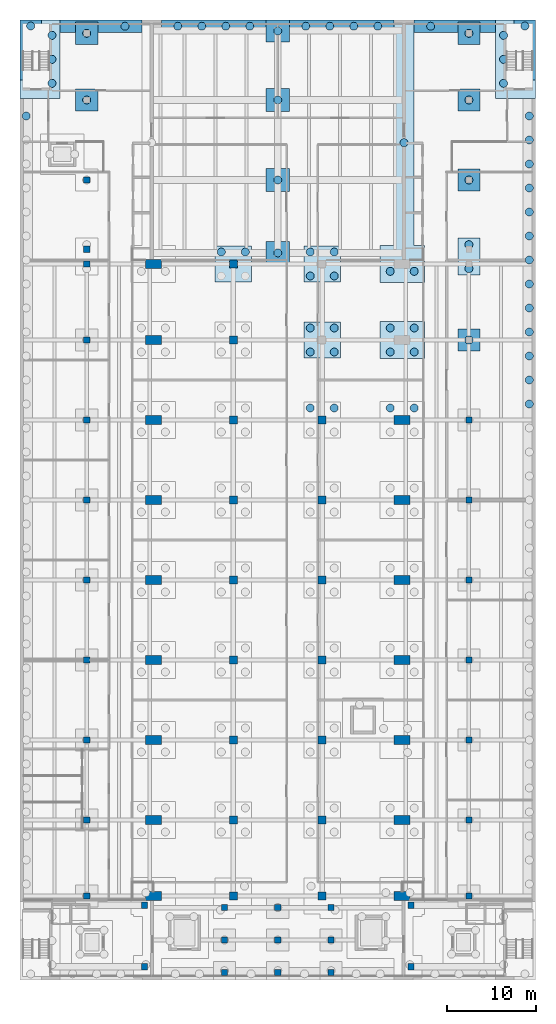
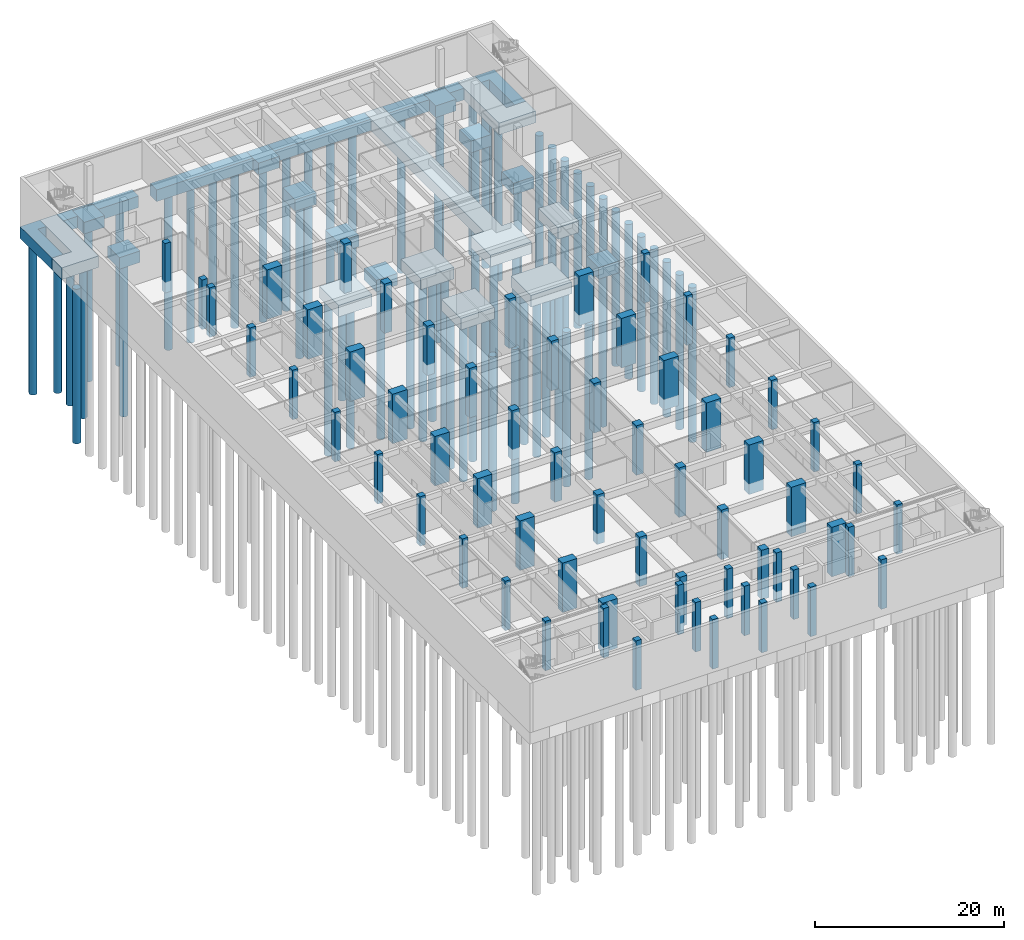
# One storey, part 3 of 19: 65 piles, 63 columns, 24 footings.
"""IFC4 building model written with IfcOpenShell, lengths in metres."""

from ifc_helpers import new_model, si_unit, direction, frame, origin, origin_2d, place, context, subcontext, project, spatial, polyline, rectangle, circle, outline, extrude, material, layer, layer_set, material_profile, profile_set, type_object, element, save


model = new_model("IFC4")

# Units and contexts
model_context = context("Model", 3, precision=1e-05, world=origin(), true_north=direction((0.0, 1.0)))
body_context = subcontext(model_context, "Body", "Model", "MODEL_VIEW")
ifc_project = project(units=[si_unit("LENGTHUNIT", "METRE"), si_unit("AREAUNIT", "SQUARE_METRE"), si_unit("VOLUMEUNIT", "CUBIC_METRE"), si_unit("PLANEANGLEUNIT", "RADIAN"), si_unit("MASSUNIT", "GRAM", prefix="KILO")], contexts=[model_context])

# Site, building, storey
site_placement = place(None, origin())
site = spatial("IfcSite", under=ifc_project, at=site_placement, CompositionType="ELEMENT")
building_placement = place(site_placement, origin())
building = spatial("IfcBuilding", under=site, at=building_placement, Name="Elmora Arch Market Hall", CompositionType="ELEMENT")
storey_placement = place(building_placement, frame((0.0, 0.0, -10.0)))
storey = spatial("IfcBuildingStorey", under=building, at=storey_placement, Name="B1", CompositionType="ELEMENT", Elevation=-10.0)

# Piles
ifc_material_1 = material(Name="Concrete C40/50", Category="concrete")
ifc_material_profile_1 = material_profile(ifc_material_1, circle(Radius=0.449951171875, at=origin_2d()), Name="Bored pile D900")
ifc_profile_set_1 = profile_set([ifc_material_profile_1], Name="Concrete C40/50")
pile_type = type_object("IfcPileType", Name="Bored pile D900", PredefinedType="BORED", material=ifc_profile_set_1)
for number, where, z_axis, x_axis, name in (
    (1, (41.64990234375, 82.35009765625, -2.89990234375), (0.0, 0.0, -1.0), (1.0, 0.0, 0.0), "Bored pile 049.02"),
    (2, (44.35009765625, 82.35009765625, -2.89990234375), (0.0, 0.0, -1.0), (1.0, 0.0, 0.0), "Bored pile 049.04"),
    (3, (32.64990234375, 82.35009765625, -2.89990234375), (0.0, 0.0, -1.0), (1.0, 0.0, 0.0), "Bored pile 051.02"),
    (4, (35.35009765625, 82.35009765625, -2.89990234375), (0.0, 0.0, -1.0), (1.0, 0.0, 0.0), "Bored pile 051.04"),
    (5, (41.64990234375, 88.64990234375, -2.89990234375), (0.0, 0.0, -1.0), (1.0, 0.0, 0.0), "Bored pile 055.01"),
    (6, (41.64990234375, 91.35009765625, -2.89990234375), (0.0, 0.0, -1.0), (1.0, 0.0, 0.0), "Bored pile 055.02"),
    (7, (44.35009765625, 88.64990234375, -2.89990234375), (0.0, 0.0, -1.0), (1.0, 0.0, 0.0), "Bored pile 055.03"),
    (8, (44.35009765625, 91.35009765625, -2.89990234375), (0.0, 0.0, -1.0), (1.0, 0.0, 0.0), "Bored pile 055.04"),
    (9, (32.64990234375, 88.64990234375, -2.89990234375), (0.0, 0.0, -1.0), (1.0, 0.0, 0.0), "Bored pile 057.01"),
    (10, (32.64990234375, 91.35009765625, -2.89990234375), (0.0, 0.0, -1.0), (1.0, 0.0, 0.0), "Bored pile 057.02"),
    (11, (35.35009765625, 88.64990234375, -2.89990234375), (0.0, 0.0, -1.0), (1.0, 0.0, 0.0), "Bored pile 057.03"),
    (12, (35.35009765625, 91.35009765625, -2.89990234375), (0.0, 0.0, -1.0), (1.0, 0.0, 0.0), "Bored pile 057.04"),
    (13, (50.5, 90.0, -2.89990234375), (0.0, 0.0, -1.0), (1.0, 0.0, 0.0), "Bored pile 059.01"),
    (14, (41.64990234375, 97.72509765625, -2.89990234375), (0.0, 0.0, -1.0), (1.0, 0.0, 0.0), "Bored pile 061.01"),
    (15, (44.35009765625, 97.72509765625, -2.89990234375), (0.0, 0.0, -1.0), (1.0, 0.0, 0.0), "Bored pile 061.02"),
    (16, (43.199951171875, 112.199951171875, -2.89990234375), (0.0, 0.0, -1.0), (1.0, 0.0, 0.0), "Bored pile 061.03"),
    (17, (22.64990234375, 99.89990234375, -2.89990234375), (0.0, 0.0, -1.0), (1.0, 0.0, 0.0), "Bored pile 062.02"),
    (18, (25.35009765625, 99.89990234375, -2.89990234375), (0.0, 0.0, -1.0), (1.0, 0.0, 0.0), "Bored pile 062.04"),
    (19, (32.64990234375, 97.199951171875, -2.89990234375), (0.0, 0.0, -1.0), (1.0, 0.0, 0.0), "Bored pile 063.01"),
    (20, (32.64990234375, 99.89990234375, -2.89990234375), (0.0, 0.0, -1.0), (1.0, 0.0, 0.0), "Bored pile 063.02"),
    (21, (35.35009765625, 97.199951171875, -2.89990234375), (0.0, 0.0, -1.0), (1.0, 0.0, 0.0), "Bored pile 063.03"),
    (22, (35.35009765625, 99.89990234375, -2.89990234375), (0.0, 0.0, -1.0), (1.0, 0.0, 0.0), "Bored pile 063.04"),
    (23, (50.5, 98.02490234375, -2.89990234375), (0.0, 0.0, -1.0), (1.0, 0.0, 0.0), "Bored pile 065.01"),
    (24, (50.5, 100.72509765625, -2.89990234375), (0.0, 0.0, -1.0), (1.0, 0.0, 0.0), "Bored pile 065.02"),
    (25, (29.0, 99.800048828125, -2.89990234375), (0.0, 0.0, -1.0), (1.0, 0.0, 0.0), "Bored pile 066.01"),
    (26, (29.0, 108.0, -2.89990234375), (0.0, 0.0, -1.0), (1.0, 0.0, 0.0), "Bored pile 067.01"),
    (27, (50.5, 108.0, -2.89990234375), (0.0, 0.0, -1.0), (1.0, 0.0, 0.0), "Bored pile 069.01"),
    (28, (29.0, 117.0, -2.89990234375), (0.0, 0.0, -1.0), (1.0, 0.0, 0.0), "Bored pile 070.01"),
    (29, (7.5, 117.0, -2.89990234375), (0.0, 0.0, -1.0), (1.0, 0.0, 0.0), "Bored pile 071.01"),
    (30, (50.5, 117.0, -2.89990234375), (0.0, 0.0, -1.0), (1.0, 0.0, 0.0), "Bored pile 072.01"),
    (31, (3.60009765625, 118.875, -2.89990234375), (0.0, 0.0, -1.0), (1.0, 0.0, 0.0), "Bored pile 073.01"),
    (32, (3.60009765625, 121.574951171875, -2.89990234375), (0.0, 0.0, -1.0), (1.0, 0.0, 0.0), "Bored pile 073.02"),
    (33, (3.60009765625, 124.27490234375, -2.89990234375), (0.0, 0.0, -1.0), (1.0, 0.0, 0.0), "Bored pile 073.03"),
    (34, (54.39990234375, 118.875, -2.89990234375), (0.0, 0.0, -1.0), (1.0, 0.0, 0.0), "Bored pile 074.01"),
    (35, (54.39990234375, 121.574951171875, -2.89990234375), (0.0, 0.0, -1.0), (1.0, 0.0, 0.0), "Bored pile 074.02"),
    (36, (54.39990234375, 124.27490234375, -2.89990234375), (0.0, 0.0, -1.0), (1.0, 0.0, 0.0), "Bored pile 074.03"),
    (37, (7.5, 124.5, -2.89990234375), (0.0, 0.0, -1.0), (1.0, 0.0, 0.0), "Bored pile 075.01"),
    (38, (50.5, 124.5, -2.89990234375), (0.0, 0.0, -1.0), (1.0, 0.0, 0.0), "Bored pile 076.01"),
    (39, (29.0, 124.75, -2.89990234375), (0.0, 0.0, -1.0), (1.0, 0.0, 0.0), "Bored pile 077.01"),
    (40, (0.699951171875, 115.199951171875, -2.89990234375), (0.0, 0.0, -1.0), (1.0, 0.0, 0.0), "Bored pile 086.33"),
    (41, (57.300048828125, 82.800048828125, -2.89990234375), (0.0, 0.0, -1.0), (1.0, 0.0, 0.0), "Bored pile 087.21"),
    (42, (57.300048828125, 85.5, -2.89990234375), (0.0, 0.0, -1.0), (1.0, 0.0, 0.0), "Bored pile 087.22"),
    (43, (57.300048828125, 88.199951171875, -2.89990234375), (0.0, 0.0, -1.0), (1.0, 0.0, 0.0), "Bored pile 087.23"),
    (44, (57.300048828125, 90.89990234375, -2.89990234375), (0.0, 0.0, -1.0), (1.0, 0.0, 0.0), "Bored pile 087.24"),
    (45, (57.300048828125, 93.60009765625, -2.89990234375), (0.0, 0.0, -1.0), (1.0, 0.0, 0.0), "Bored pile 087.25"),
    (46, (57.300048828125, 96.300048828125, -2.89990234375), (0.0, 0.0, -1.0), (1.0, 0.0, 0.0), "Bored pile 087.26"),
    (47, (57.300048828125, 99.0, -2.89990234375), (0.0, 0.0, -1.0), (1.0, 0.0, 0.0), "Bored pile 087.27"),
    (48, (57.300048828125, 101.699951171875, -2.89990234375), (0.0, 0.0, -1.0), (1.0, 0.0, 0.0), "Bored pile 087.28"),
    (49, (57.300048828125, 104.39990234375, -2.89990234375), (0.0, 0.0, -1.0), (1.0, 0.0, 0.0), "Bored pile 087.29"),
    (50, (57.300048828125, 107.10009765625, -2.89990234375), (0.0, 0.0, -1.0), (1.0, 0.0, 0.0), "Bored pile 087.30"),
    (51, (57.300048828125, 109.800048828125, -2.89990234375), (0.0, 0.0, -1.0), (1.0, 0.0, 0.0), "Bored pile 087.31"),
    (52, (57.300048828125, 112.5, -2.89990234375), (0.0, 0.0, -1.0), (1.0, 0.0, 0.0), "Bored pile 087.32"),
    (53, (57.300048828125, 115.199951171875, -2.89990234375), (0.0, 0.0, -1.0), (1.0, 0.0, 0.0), "Bored pile 087.33"),
    (54, (1.199951171875, 125.324951171875, -2.89990234375), (0.0, 0.0, -1.0), (1.0, 0.0, 0.0), "Bored pile 088.01"),
    (55, (56.800048828125, 125.324951171875, -2.89990234375), (0.0, 0.0, -1.0), (1.0, 0.0, 0.0), "Bored pile 089.01"),
    (56, (11.800048828125, 125.300048828125, -2.89990234375), (0.0, 0.0, -1.0), (1.0, 0.0, 0.0), "Bored pile 090.01"),
    (57, (17.75, 125.300048828125, -2.89990234375), (0.0, 0.0, -1.0), (1.0, 0.0, 0.0), "Bored pile 091.01"),
    (58, (20.449951171875, 125.300048828125, -2.89990234375), (0.0, 0.0, -1.0), (1.0, 0.0, 0.0), "Bored pile 091.02"),
    (59, (23.14990234375, 125.300048828125, -2.89990234375), (0.0, 0.0, -1.0), (1.0, 0.0, 0.0), "Bored pile 091.03"),
    (60, (25.85009765625, 125.300048828125, -2.89990234375), (0.0, 0.0, -1.0), (1.0, 0.0, 0.0), "Bored pile 091.04"),
    (61, (32.14990234375, 125.300048828125, -2.89990234375), (0.0, 0.0, -1.0), (1.0, 0.0, 0.0), "Bored pile 092.01"),
    (62, (34.85009765625, 125.300048828125, -2.89990234375), (0.0, 0.0, -1.0), (1.0, 0.0, 0.0), "Bored pile 092.02"),
    (63, (37.550048828125, 125.300048828125, -2.89990234375), (0.0, 0.0, -1.0), (1.0, 0.0, 0.0), "Bored pile 092.03"),
    (64, (40.25, 125.300048828125, -2.89990234375), (0.0, 0.0, -1.0), (1.0, 0.0, 0.0), "Bored pile 092.04"),
    (65, (46.199951171875, 125.300048828125, -2.89990234375), (0.0, 0.0, -1.0), (1.0, 0.0, 0.0), "Bored pile 093.01"),
):
    element("IfcPile", number, at=place(storey_placement, frame(where, z_axis=z_axis, x_axis=x_axis)), inside=storey, type_object=pile_type, Name=name, PredefinedType="BORED", context=body_context, shape_type="SweptSolid", body=[
        extrude(circle(Radius=0.449951171875, at=origin_2d()), origin(), (0.0, 0.0, 1.0), 20.0),
    ])

# Footings
ifc_material_2 = material(Name="Concrete C40/50", Category="concrete")
ifc_layer_1 = layer(ifc_material_2, 1.5)
ifc_layer_set_1 = layer_set([ifc_layer_1], Name="Concrete C40/50")
footing_type_1 = type_object("IfcFootingType", Name="Pile cap 1500, 3 to 4 piles", PredefinedType="PILE_CAP", material=ifc_layer_set_1)
footing_1_placement = place(storey_placement, frame((0.0, 0.0, -2.89990234375)))
element("IfcFooting", 66, at=footing_1_placement, inside=storey, type_object=footing_type_1, Name="Pile cap 055", PredefinedType="PILE_CAP", context=body_context, shape_type="SweptSolid", body=[
    extrude(outline(polyline([(45.5, 87.89990234375), (40.5, 87.89990234375), (40.5, 92.10009765625), (45.5, 92.10009765625), (45.5, 87.89990234375)])), origin(), (0.0, 0.0, 1.0), 1.5),
])
footing_2_placement = place(storey_placement, frame((0.0, 0.0, -2.89990234375)))
element("IfcFooting", 67, at=footing_2_placement, inside=storey, type_object=footing_type_1, Name="Pile cap 057", PredefinedType="PILE_CAP", context=body_context, shape_type="SweptSolid", body=[
    extrude(outline(polyline([(36.050048828125, 87.949951171875), (31.949951171875, 87.949951171875), (31.949951171875, 92.050048828125), (36.050048828125, 92.050048828125), (36.050048828125, 87.949951171875)])), origin(), (0.0, 0.0, 1.0), 1.5),
])
footing_3_placement = place(storey_placement, frame((0.0, 0.0, -2.89990234375)))
element("IfcFooting", 68, at=footing_3_placement, inside=storey, type_object=footing_type_1, Name="Pile cap 061", PredefinedType="PILE_CAP", context=body_context, shape_type="SweptSolid", body=[
    extrude(outline(polyline([(45.5, 96.449951171875), (40.5, 96.449951171875), (40.5, 100.64990234375), (42.10009765625, 100.64990234375), (42.10009765625, 126.0), (44.300048828125, 126.0), (44.300048828125, 100.64990234375), (45.5, 100.64990234375), (45.5, 96.449951171875)])), origin(), (0.0, 0.0, 1.0), 1.5),
])
footing_4_placement = place(storey_placement, frame((0.0, 0.0, -2.89990234375)))
element("IfcFooting", 69, at=footing_4_placement, inside=storey, type_object=footing_type_1, Name="Pile cap 062", PredefinedType="PILE_CAP", context=body_context, shape_type="SweptSolid", body=[
    extrude(outline(polyline([(26.050048828125, 96.5), (21.949951171875, 96.5), (21.949951171875, 100.60009765625), (26.050048828125, 100.60009765625), (26.050048828125, 96.5)])), origin(), (0.0, 0.0, 1.0), 1.5),
])
footing_5_placement = place(storey_placement, frame((0.0, 0.0, -2.89990234375)))
element("IfcFooting", 70, at=footing_5_placement, inside=storey, type_object=footing_type_1, Name="Pile cap 063", PredefinedType="PILE_CAP", context=body_context, shape_type="SweptSolid", body=[
    extrude(outline(polyline([(36.050048828125, 100.60009765625), (36.050048828125, 96.5), (31.949951171875, 96.5), (31.949951171875, 100.60009765625), (36.050048828125, 100.60009765625)])), origin(), (0.0, 0.0, 1.0), 1.5),
])
footing_6_placement = place(storey_placement, frame((0.0, 0.0, -2.89990234375)))
element("IfcFooting", 71, at=footing_6_placement, inside=storey, type_object=footing_type_1, Name="Pile cap 073", PredefinedType="PILE_CAP", context=body_context, shape_type="SweptSolid", body=[
    extrude(outline(polyline([(4.199951171875, 117.14990234375), (2.39990234375, 117.14990234375), (0.0, 117.14990234375), (0.0, 119.25), (2.39990234375, 119.25), (2.39990234375, 126.0), (4.5, 126.0), (4.5, 117.14990234375), (4.199951171875, 117.14990234375)])), origin(), (0.0, 0.0, 1.0), 1.5),
])
footing_7_placement = place(storey_placement, frame((0.0, 0.0, -2.89990234375)))
element("IfcFooting", 72, at=footing_7_placement, inside=storey, type_object=footing_type_1, Name="Pile cap 074", PredefinedType="PILE_CAP", context=body_context, shape_type="SweptSolid", body=[
    extrude(outline(polyline([(55.60009765625, 119.25), (58.0, 119.25), (58.0, 117.14990234375), (55.60009765625, 117.14990234375), (53.800048828125, 117.14990234375), (53.5, 117.14990234375), (53.5, 126.0), (55.60009765625, 126.0), (55.60009765625, 119.25)])), origin(), (0.0, 0.0, 1.0), 1.5),
])
footing_8_placement = place(storey_placement, frame((0.0, 0.0, -2.89990234375)))
element("IfcFooting", 73, at=footing_8_placement, inside=storey, type_object=footing_type_1, Name="Pile cap 091", PredefinedType="PILE_CAP", context=body_context, shape_type="SweptSolid", body=[
    extrude(outline(polyline([(27.699951171875, 126.0), (27.699951171875, 124.60009765625), (15.89990234375, 124.60009765625), (15.89990234375, 126.0), (27.699951171875, 126.0)])), origin(), (0.0, 0.0, 1.0), 1.5),
])
footing_9_placement = place(storey_placement, frame((0.0, 0.0, -2.89990234375)))
element("IfcFooting", 74, at=footing_9_placement, inside=storey, type_object=footing_type_1, Name="Pile cap 092", PredefinedType="PILE_CAP", context=body_context, shape_type="SweptSolid", body=[
    extrude(outline(polyline([(42.10009765625, 126.0), (42.10009765625, 124.60009765625), (30.300048828125, 124.60009765625), (30.300048828125, 126.0), (42.10009765625, 126.0)])), origin(), (0.0, 0.0, 1.0), 1.5),
])
ifc_material_3 = material(Name="Concrete C40/50", Category="concrete")
ifc_layer_2 = layer(ifc_material_3, 1.5)
ifc_layer_set_2 = layer_set([ifc_layer_2], Name="Concrete C40/50")
footing_type_2 = type_object("IfcFootingType", Name="Pile cap 1500, up to 2 piles", PredefinedType="PILE_CAP", material=ifc_layer_set_2)
footing_10_placement = place(storey_placement, frame((0.0, 0.0, -2.89990234375)))
element("IfcFooting", 75, at=footing_10_placement, inside=storey, type_object=footing_type_2, Name="Pile cap 059", PredefinedType="PILE_CAP", context=body_context, shape_type="SweptSolid", body=[
    extrude(outline(polyline([(51.75, 88.75), (49.25, 88.75), (49.25, 91.25), (51.75, 91.25), (51.75, 88.75)])), origin(), (0.0, 0.0, 1.0), 1.5),
])
footing_11_placement = place(storey_placement, frame((0.0, 0.0, -2.89990234375)))
element("IfcFooting", 76, at=footing_11_placement, inside=storey, type_object=footing_type_2, Name="Pile cap 065", PredefinedType="PILE_CAP", context=body_context, shape_type="SweptSolid", body=[
    extrude(outline(polyline([(49.25, 99.800048828125), (49.25, 101.449951171875), (51.75, 101.449951171875), (51.75, 99.800048828125), (51.75, 98.949951171875), (51.75, 97.300048828125), (49.25, 97.300048828125), (49.25, 98.949951171875), (49.25, 99.800048828125)])), origin(), (0.0, 0.0, 1.0), 1.5),
])
footing_12_placement = place(storey_placement, frame((0.0, 0.0, -2.89990234375)))
element("IfcFooting", 77, at=footing_12_placement, inside=storey, type_object=footing_type_2, Name="Pile cap 066", PredefinedType="PILE_CAP", context=body_context, shape_type="SweptSolid", body=[
    extrude(outline(polyline([(30.300048828125, 98.5), (27.699951171875, 98.5), (27.699951171875, 101.10009765625), (30.300048828125, 101.10009765625), (30.300048828125, 98.5)])), origin(), (0.0, 0.0, 1.0), 1.5),
])
footing_13_placement = place(storey_placement, frame((0.0, 0.0, -2.89990234375)))
element("IfcFooting", 78, at=footing_13_placement, inside=storey, type_object=footing_type_2, Name="Pile cap 067", PredefinedType="PILE_CAP", context=body_context, shape_type="SweptSolid", body=[
    extrude(outline(polyline([(30.300048828125, 106.699951171875), (27.699951171875, 106.699951171875), (27.699951171875, 109.300048828125), (30.300048828125, 109.300048828125), (30.300048828125, 106.699951171875)])), origin(), (0.0, 0.0, 1.0), 1.5),
])
footing_14_placement = place(storey_placement, frame((0.0, 0.0, -2.89990234375)))
element("IfcFooting", 79, at=footing_14_placement, inside=storey, type_object=footing_type_2, Name="Pile cap 069", PredefinedType="PILE_CAP", context=body_context, shape_type="SweptSolid", body=[
    extrude(outline(polyline([(51.75, 106.75), (49.25, 106.75), (49.25, 109.25), (51.75, 109.25), (51.75, 106.75)])), origin(), (0.0, 0.0, 1.0), 1.5),
])
footing_15_placement = place(storey_placement, frame((0.0, 0.0, -2.89990234375)))
element("IfcFooting", 80, at=footing_15_placement, inside=storey, type_object=footing_type_2, Name="Pile cap 070", PredefinedType="PILE_CAP", context=body_context, shape_type="SweptSolid", body=[
    extrude(outline(polyline([(30.300048828125, 115.699951171875), (27.699951171875, 115.699951171875), (27.699951171875, 118.300048828125), (30.300048828125, 118.300048828125), (30.300048828125, 115.699951171875)])), origin(), (0.0, 0.0, 1.0), 1.5),
])
footing_16_placement = place(storey_placement, frame((0.0, 0.0, -2.89990234375)))
element("IfcFooting", 81, at=footing_16_placement, inside=storey, type_object=footing_type_2, Name="Pile cap 071", PredefinedType="PILE_CAP", context=body_context, shape_type="SweptSolid", body=[
    extrude(outline(polyline([(8.75, 115.75), (6.25, 115.75), (6.25, 118.25), (8.75, 118.25), (8.75, 115.75)])), origin(), (0.0, 0.0, 1.0), 1.5),
])
footing_17_placement = place(storey_placement, frame((0.0, 0.0, -2.89990234375)))
element("IfcFooting", 82, at=footing_17_placement, inside=storey, type_object=footing_type_2, Name="Pile cap 072", PredefinedType="PILE_CAP", context=body_context, shape_type="SweptSolid", body=[
    extrude(outline(polyline([(51.75, 115.75), (49.25, 115.75), (49.25, 118.25), (51.75, 118.25), (51.75, 115.75)])), origin(), (0.0, 0.0, 1.0), 1.5),
])
footing_18_placement = place(storey_placement, frame((0.0, 0.0, -2.89990234375)))
element("IfcFooting", 83, at=footing_18_placement, inside=storey, type_object=footing_type_2, Name="Pile cap 075", PredefinedType="PILE_CAP", context=body_context, shape_type="SweptSolid", body=[
    extrude(outline(polyline([(8.75, 125.75), (8.75, 123.25), (6.25, 123.25), (6.25, 125.75), (8.75, 125.75)])), origin(), (0.0, 0.0, 1.0), 1.5),
])
footing_19_placement = place(storey_placement, frame((0.0, 0.0, -2.89990234375)))
element("IfcFooting", 84, at=footing_19_placement, inside=storey, type_object=footing_type_2, Name="Pile cap 076", PredefinedType="PILE_CAP", context=body_context, shape_type="SweptSolid", body=[
    extrude(outline(polyline([(51.75, 123.25), (49.25, 123.25), (49.25, 125.75), (51.75, 125.75), (51.75, 123.25)])), origin(), (0.0, 0.0, 1.0), 1.5),
])
footing_20_placement = place(storey_placement, frame((0.0, 0.0, -2.89990234375)))
element("IfcFooting", 85, at=footing_20_placement, inside=storey, type_object=footing_type_2, Name="Pile cap 077", PredefinedType="PILE_CAP", context=body_context, shape_type="SweptSolid", body=[
    extrude(outline(polyline([(30.300048828125, 123.5), (27.699951171875, 123.5), (27.699951171875, 126.0), (30.300048828125, 126.0), (30.300048828125, 123.5)])), origin(), (0.0, 0.0, 1.0), 1.5),
])
footing_21_placement = place(storey_placement, frame((0.0, 0.0, -2.89990234375)))
element("IfcFooting", 86, at=footing_21_placement, inside=storey, type_object=footing_type_2, Name="Pile cap 088", PredefinedType="PILE_CAP", context=body_context, shape_type="SweptSolid", body=[
    extrude(outline(polyline([(0.0, 124.60009765625), (0.0, 126.0), (1.39990234375, 126.0), (2.39990234375, 126.0), (2.39990234375, 124.60009765625), (1.39990234375, 124.60009765625), (1.39990234375, 119.25), (0.0, 119.25), (0.0, 124.60009765625)])), origin(), (0.0, 0.0, 1.0), 1.5),
])
footing_22_placement = place(storey_placement, frame((0.0, 0.0, -2.89990234375)))
element("IfcFooting", 87, at=footing_22_placement, inside=storey, type_object=footing_type_2, Name="Pile cap 089", PredefinedType="PILE_CAP", context=body_context, shape_type="SweptSolid", body=[
    extrude(outline(polyline([(56.60009765625, 126.0), (58.0, 126.0), (58.0, 124.60009765625), (58.0, 119.25), (56.60009765625, 119.25), (56.60009765625, 124.60009765625), (55.60009765625, 124.60009765625), (55.60009765625, 126.0), (56.60009765625, 126.0)])), origin(), (0.0, 0.0, 1.0), 1.5),
])
footing_23_placement = place(storey_placement, frame((0.0, 0.0, -2.89990234375)))
element("IfcFooting", 88, at=footing_23_placement, inside=storey, type_object=footing_type_2, Name="Pile cap 090", PredefinedType="PILE_CAP", context=body_context, shape_type="SweptSolid", body=[
    extrude(outline(polyline([(13.699951171875, 126.0), (13.699951171875, 124.60009765625), (8.75, 124.60009765625), (8.75, 125.75), (6.25, 125.75), (6.25, 124.60009765625), (4.5, 124.60009765625), (4.5, 126.0), (13.699951171875, 126.0)])), origin(), (0.0, 0.0, 1.0), 1.5),
])
footing_24_placement = place(storey_placement, frame((0.0, 0.0, -2.89990234375)))
element("IfcFooting", 89, at=footing_24_placement, inside=storey, type_object=footing_type_2, Name="Pile cap 093", PredefinedType="PILE_CAP", context=body_context, shape_type="SweptSolid", body=[
    extrude(outline(polyline([(53.5, 126.0), (53.5, 124.60009765625), (51.75, 124.60009765625), (51.75, 125.75), (49.25, 125.75), (49.25, 124.60009765625), (44.300048828125, 124.60009765625), (44.300048828125, 126.0), (53.5, 126.0)])), origin(), (0.0, 0.0, 1.0), 1.5),
])

# Columns
ifc_material_4 = material(Name="Concrete C40/50", Category="concrete")
ifc_material_profile_2 = material_profile(ifc_material_4, rectangle(XDim=0.699951171875, YDim=0.699951171875, at=origin_2d()), Name="Corner block column 700x700")
ifc_profile_set_2 = profile_set([ifc_material_profile_2], Name="Concrete C40/50")
column_type_1 = type_object("IfcColumnType", Name="Corner block column 700x700", PredefinedType="COLUMN", material=ifc_profile_set_2)
for number, where, z_axis, x_axis, name in (
    (90, (14.0, 19.5, -1.39990234375), (0.0, 0.0, 1.0), (1.0, 0.0, 0.0), "Corner block column SW2 B1"),
    (91, (14.0, 26.39990234375, -1.39990234375), (0.0, 0.0, 1.0), (1.0, 0.0, 0.0), "Corner block column SW4 B1"),
    (92, (44.0, 19.5, -1.39990234375), (0.0, 0.0, 1.0), (1.0, 0.0, 0.0), "Corner block column SE2 B1"),
    (93, (44.0, 26.39990234375, -1.39990234375), (0.0, 0.0, 1.0), (1.0, 0.0, 0.0), "Corner block column SE4 B1"),
):
    element("IfcColumn", number, at=place(storey_placement, frame(where, z_axis=z_axis, x_axis=x_axis)), inside=storey, type_object=column_type_1, Name=name, PredefinedType="COLUMN", context=body_context, shape_type="SweptSolid", body=[
        extrude(rectangle(XDim=0.699951171875, YDim=0.699951171875, at=origin_2d()), origin(), (0.0, 0.0, 1.0), 6.39990234375),
    ])
ifc_material_5 = material(Name="Concrete C40/50", Category="concrete")
ifc_material_profile_3 = material_profile(ifc_material_5, rectangle(XDim=0.699951171875, YDim=0.699951171875, at=origin_2d()), Name="Dock column 700x700")
ifc_profile_set_3 = profile_set([ifc_material_profile_3], Name="Concrete C40/50")
column_type_2 = type_object("IfcColumnType", Name="Dock column 700x700", PredefinedType="COLUMN", material=ifc_profile_set_3)
for number, where, z_axis, x_axis, name in (
    (94, (23.0, 22.5, -1.39990234375), (0.0, 0.0, 1.0), (1.0, 0.0, 0.0), "Dock column DK1 B1"),
    (95, (29.0, 22.5, -1.39990234375), (0.0, 0.0, 1.0), (1.0, 0.0, 0.0), "Dock column DK2 B1"),
    (96, (35.0, 22.5, -1.39990234375), (0.0, 0.0, 1.0), (1.0, 0.0, 0.0), "Dock column DK3 B1"),
    (97, (23.0, 26.14990234375, -1.39990234375), (0.0, 0.0, 1.0), (1.0, 0.0, 0.0), "Dock column DK4 B1"),
    (98, (29.0, 26.14990234375, -1.39990234375), (0.0, 0.0, 1.0), (1.0, 0.0, 0.0), "Dock column DK5 B1"),
    (99, (35.0, 26.14990234375, -1.39990234375), (0.0, 0.0, 1.0), (1.0, 0.0, 0.0), "Dock column DK6 B1"),
    (100, (23.0, 18.85009765625, -1.39990234375), (0.0, 0.0, 1.0), (1.0, 0.0, 0.0), "Dock column DK7 B1"),
    (101, (29.0, 18.85009765625, -1.39990234375), (0.0, 0.0, 1.0), (1.0, 0.0, 0.0), "Dock column DK8 B1"),
    (102, (35.0, 18.85009765625, -1.39990234375), (0.0, 0.0, 1.0), (1.0, 0.0, 0.0), "Dock column DK9 B1"),
):
    element("IfcColumn", number, at=place(storey_placement, frame(where, z_axis=z_axis, x_axis=x_axis)), inside=storey, type_object=column_type_2, Name=name, PredefinedType="COLUMN", context=body_context, shape_type="SweptSolid", body=[
        extrude(rectangle(XDim=0.699951171875, YDim=0.699951171875, at=origin_2d()), origin(), (0.0, 0.0, 1.0), 6.39990234375),
    ])
ifc_material_6 = material(Name="Concrete C40/50", Category="concrete")
ifc_material_profile_4 = material_profile(ifc_material_6, rectangle(XDim=0.89990234375, YDim=0.89990234375, at=origin_2d()), Name="Hall frame column 900x900")
ifc_profile_set_4 = profile_set([ifc_material_profile_4], Name="Concrete C40/50")
column_type_3 = type_object("IfcColumnType", Name="Hall frame column 900x900", PredefinedType="COLUMN", material=ifc_profile_set_4)
for number, where, z_axis, x_axis, name in (
    (103, (24.0, 27.449951171875, -1.39990234375), (0.0, 0.0, 1.0), (1.0, 0.0, 0.0), "Hall frame column HF11 B1"),
    (104, (24.0, 36.0, -1.39990234375), (0.0, 0.0, 1.0), (1.0, 0.0, 0.0), "Hall frame column HF12 B1"),
    (105, (24.0, 45.0, -1.39990234375), (0.0, 0.0, 1.0), (1.0, 0.0, 0.0), "Hall frame column HF13 B1"),
    (106, (24.0, 54.0, -1.39990234375), (0.0, 0.0, 1.0), (1.0, 0.0, 0.0), "Hall frame column HF14 B1"),
    (107, (24.0, 63.0, -1.39990234375), (0.0, 0.0, 1.0), (1.0, 0.0, 0.0), "Hall frame column HF15 B1"),
    (108, (24.0, 72.0, -1.39990234375), (0.0, 0.0, 1.0), (1.0, 0.0, 0.0), "Hall frame column HF16 B1"),
    (109, (24.0, 81.0, -1.39990234375), (0.0, 0.0, 1.0), (1.0, 0.0, 0.0), "Hall frame column HF17 B1"),
    (110, (24.0, 90.0, -1.39990234375), (0.0, 0.0, 1.0), (1.0, 0.0, 0.0), "Hall frame column HF18 B1"),
    (111, (24.0, 98.550048828125, -1.39990234375), (0.0, 0.0, 1.0), (1.0, 0.0, 0.0), "Hall frame column HF19 B1"),
    (112, (34.0, 27.449951171875, -1.39990234375), (0.0, 0.0, 1.0), (1.0, 0.0, 0.0), "Hall frame column HF21 B1"),
    (113, (34.0, 36.0, -1.39990234375), (0.0, 0.0, 1.0), (1.0, 0.0, 0.0), "Hall frame column HF22 B1"),
    (114, (34.0, 45.0, -1.39990234375), (0.0, 0.0, 1.0), (1.0, 0.0, 0.0), "Hall frame column HF23 B1"),
    (115, (34.0, 54.0, -1.39990234375), (0.0, 0.0, 1.0), (1.0, 0.0, 0.0), "Hall frame column HF24 B1"),
    (116, (34.0, 63.0, -1.39990234375), (0.0, 0.0, 1.0), (1.0, 0.0, 0.0), "Hall frame column HF25 B1"),
    (117, (34.0, 72.0, -1.39990234375), (0.0, 0.0, 1.0), (1.0, 0.0, 0.0), "Hall frame column HF26 B1"),
    (118, (34.0, 81.0, -1.39990234375), (0.0, 0.0, 1.0), (1.0, 0.0, 0.0), "Hall frame column HF27 B1"),
):
    element("IfcColumn", number, at=place(storey_placement, frame(where, z_axis=z_axis, x_axis=x_axis)), inside=storey, type_object=column_type_3, Name=name, PredefinedType="COLUMN", context=body_context, shape_type="SweptSolid", body=[
        extrude(rectangle(XDim=0.89990234375, YDim=0.89990234375, at=origin_2d()), origin(), (0.0, 0.0, 1.0), 6.39990234375),
    ])
ifc_material_7 = material(Name="Concrete C40/50", Category="concrete")
ifc_material_profile_5 = material_profile(ifc_material_7, rectangle(XDim=1.800048828125, YDim=1.0, at=origin_2d()), Name="Hall pier")
ifc_profile_set_5 = profile_set([ifc_material_profile_5], Name="Concrete C40/50")
column_type_4 = type_object("IfcColumnType", Name="Hall pier", PredefinedType="COLUMN", material=ifc_profile_set_5)
for number, where, z_axis, x_axis, name in (
    (119, (15.0, 27.449951171875, -1.39990234375), (0.0, 0.0, 1.0), (1.0, 0.0, 0.0), "Hall pier 01W B1"),
    (120, (43.0, 27.449951171875, -1.39990234375), (0.0, 0.0, 1.0), (1.0, 0.0, 0.0), "Hall pier 01E B1"),
    (121, (15.0, 36.0, -1.39990234375), (0.0, 0.0, 1.0), (1.0, 0.0, 0.0), "Hall pier 02W B1"),
    (122, (43.0, 36.0, -1.39990234375), (0.0, 0.0, 1.0), (1.0, 0.0, 0.0), "Hall pier 02E B1"),
    (123, (15.0, 45.0, -1.39990234375), (0.0, 0.0, 1.0), (1.0, 0.0, 0.0), "Hall pier 03W B1"),
    (124, (43.0, 45.0, -1.39990234375), (0.0, 0.0, 1.0), (1.0, 0.0, 0.0), "Hall pier 03E B1"),
    (125, (15.0, 54.0, -1.39990234375), (0.0, 0.0, 1.0), (1.0, 0.0, 0.0), "Hall pier 04W B1"),
    (126, (43.0, 54.0, -1.39990234375), (0.0, 0.0, 1.0), (1.0, 0.0, 0.0), "Hall pier 04E B1"),
    (127, (15.0, 63.0, -1.39990234375), (0.0, 0.0, 1.0), (1.0, 0.0, 0.0), "Hall pier 05W B1"),
    (128, (43.0, 63.0, -1.39990234375), (0.0, 0.0, 1.0), (1.0, 0.0, 0.0), "Hall pier 05E B1"),
    (129, (15.0, 72.0, -1.39990234375), (0.0, 0.0, 1.0), (1.0, 0.0, 0.0), "Hall pier 06W B1"),
    (130, (43.0, 72.0, -1.39990234375), (0.0, 0.0, 1.0), (1.0, 0.0, 0.0), "Hall pier 06E B1"),
    (131, (15.0, 81.0, -1.39990234375), (0.0, 0.0, 1.0), (1.0, 0.0, 0.0), "Hall pier 07W B1"),
    (132, (43.0, 81.0, -1.39990234375), (0.0, 0.0, 1.0), (1.0, 0.0, 0.0), "Hall pier 07E B1"),
    (133, (15.0, 90.0, -1.39990234375), (0.0, 0.0, 1.0), (1.0, 0.0, 0.0), "Hall pier 08W B1"),
    (134, (15.0, 98.550048828125, -1.39990234375), (0.0, 0.0, 1.0), (1.0, 0.0, 0.0), "Hall pier 09W B1"),
):
    element("IfcColumn", number, at=place(storey_placement, frame(where, z_axis=z_axis, x_axis=x_axis)), inside=storey, type_object=column_type_4, Name=name, PredefinedType="COLUMN", context=body_context, shape_type="SweptSolid", body=[
        extrude(rectangle(XDim=1.800048828125, YDim=1.0, at=origin_2d()), origin(), (0.0, 0.0, 1.0), 6.39990234375),
    ])
ifc_material_8 = material(Name="Concrete C40/50", Category="concrete")
ifc_material_profile_6 = material_profile(ifc_material_8, rectangle(XDim=0.699951171875, YDim=0.699951171875, at=origin_2d()), Name="Pavilion column 700x700")
ifc_profile_set_6 = profile_set([ifc_material_profile_6], Name="Concrete C40/50")
column_type_5 = type_object("IfcColumnType", Name="Pavilion column 700x700", PredefinedType="COLUMN", material=ifc_profile_set_6)
for number, where, z_axis, x_axis, name in (
    (135, (7.5, 100.199951171875, -1.39990234375), (0.0, 0.0, 1.0), (1.0, 0.0, 0.0), "Pavilion column NW1 B1"),
    (136, (7.5, 108.0, -1.39990234375), (0.0, 0.0, 1.0), (1.0, 0.0, 0.0), "Pavilion column NW2 B1"),
):
    element("IfcColumn", number, at=place(storey_placement, frame(where, z_axis=z_axis, x_axis=x_axis)), inside=storey, type_object=column_type_5, Name=name, PredefinedType="COLUMN", context=body_context, shape_type="SweptSolid", body=[
        extrude(rectangle(XDim=0.699951171875, YDim=0.699951171875, at=origin_2d()), origin(), (0.0, 0.0, 1.0), 6.39990234375),
    ])
ifc_material_9 = material(Name="Concrete C40/50", Category="concrete")
ifc_material_profile_7 = material_profile(ifc_material_9, rectangle(XDim=0.699951171875, YDim=0.699951171875, at=origin_2d()), Name="Wing column 700x700")
ifc_profile_set_7 = profile_set([ifc_material_profile_7], Name="Concrete C40/50")
column_type_6 = type_object("IfcColumnType", Name="Wing column 700x700", PredefinedType="COLUMN", material=ifc_profile_set_7)
for number, where, z_axis, x_axis, name in (
    (137, (7.5, 27.449951171875, -1.39990234375), (0.0, 0.0, 1.0), (1.0, 0.0, 0.0), "Wing column W1 B1"),
    (138, (7.5, 36.0, -1.39990234375), (0.0, 0.0, 1.0), (1.0, 0.0, 0.0), "Wing column W2 B1"),
    (139, (7.5, 45.0, -1.39990234375), (0.0, 0.0, 1.0), (1.0, 0.0, 0.0), "Wing column W3 B1"),
    (140, (7.5, 54.0, -1.39990234375), (0.0, 0.0, 1.0), (1.0, 0.0, 0.0), "Wing column W4 B1"),
    (141, (7.5, 63.0, -1.39990234375), (0.0, 0.0, 1.0), (1.0, 0.0, 0.0), "Wing column W5 B1"),
    (142, (7.5, 72.0, -1.39990234375), (0.0, 0.0, 1.0), (1.0, 0.0, 0.0), "Wing column W6 B1"),
    (143, (7.5, 81.0, -1.39990234375), (0.0, 0.0, 1.0), (1.0, 0.0, 0.0), "Wing column W7 B1"),
    (144, (7.5, 90.0, -1.39990234375), (0.0, 0.0, 1.0), (1.0, 0.0, 0.0), "Wing column W8 B1"),
    (145, (7.5, 98.550048828125, -1.39990234375), (0.0, 0.0, 1.0), (1.0, 0.0, 0.0), "Wing column W9 B1"),
    (146, (50.5, 27.449951171875, -1.39990234375), (0.0, 0.0, 1.0), (1.0, 0.0, 0.0), "Wing column E1 B1"),
    (147, (50.5, 36.0, -1.39990234375), (0.0, 0.0, 1.0), (1.0, 0.0, 0.0), "Wing column E2 B1"),
    (148, (50.5, 45.0, -1.39990234375), (0.0, 0.0, 1.0), (1.0, 0.0, 0.0), "Wing column E3 B1"),
    (149, (50.5, 54.0, -1.39990234375), (0.0, 0.0, 1.0), (1.0, 0.0, 0.0), "Wing column E4 B1"),
    (150, (50.5, 63.0, -1.39990234375), (0.0, 0.0, 1.0), (1.0, 0.0, 0.0), "Wing column E5 B1"),
    (151, (50.5, 72.0, -1.39990234375), (0.0, 0.0, 1.0), (1.0, 0.0, 0.0), "Wing column E6 B1"),
    (152, (50.5, 81.0, -1.39990234375), (0.0, 0.0, 1.0), (1.0, 0.0, 0.0), "Wing column E7 B1"),
):
    element("IfcColumn", number, at=place(storey_placement, frame(where, z_axis=z_axis, x_axis=x_axis)), inside=storey, type_object=column_type_6, Name=name, PredefinedType="COLUMN", context=body_context, shape_type="SweptSolid", body=[
        extrude(rectangle(XDim=0.699951171875, YDim=0.699951171875, at=origin_2d()), origin(), (0.0, 0.0, 1.0), 6.39990234375),
    ])

save(model, "model.ifc")
